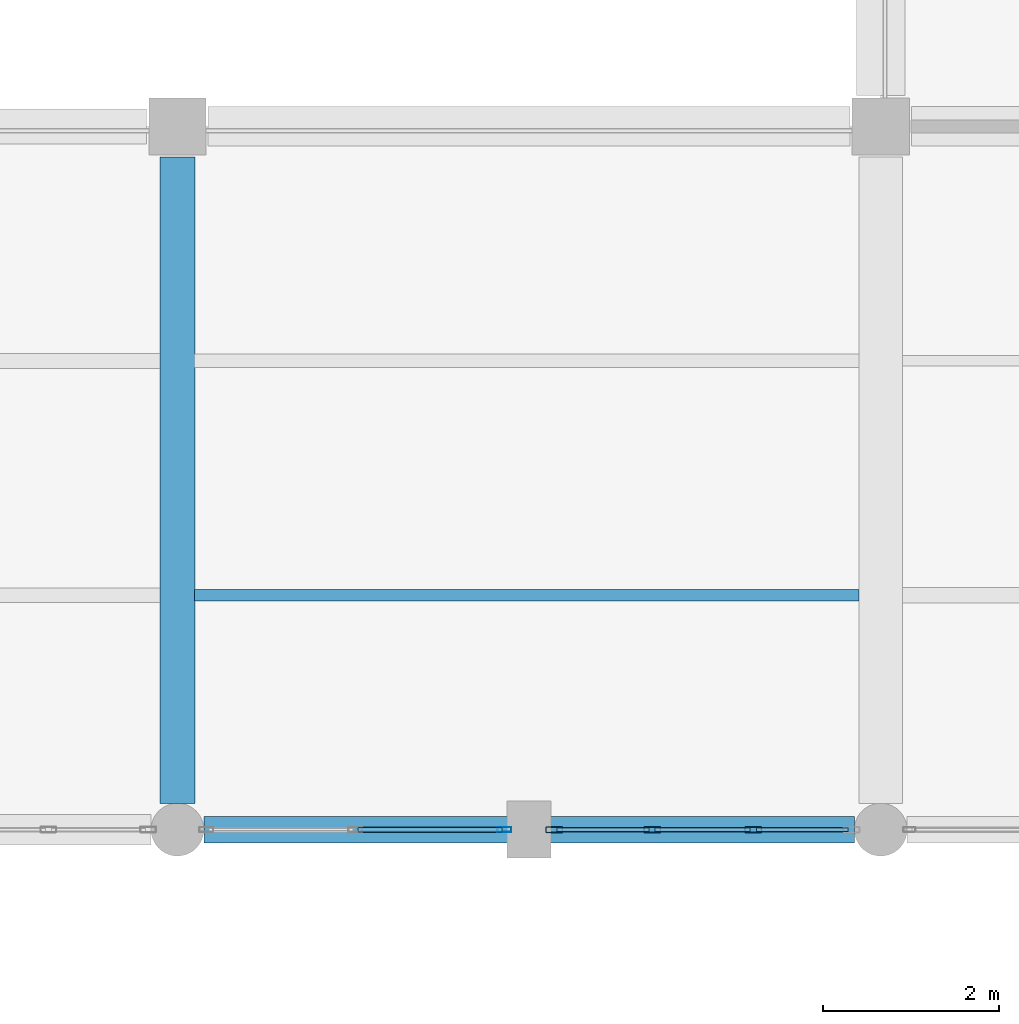
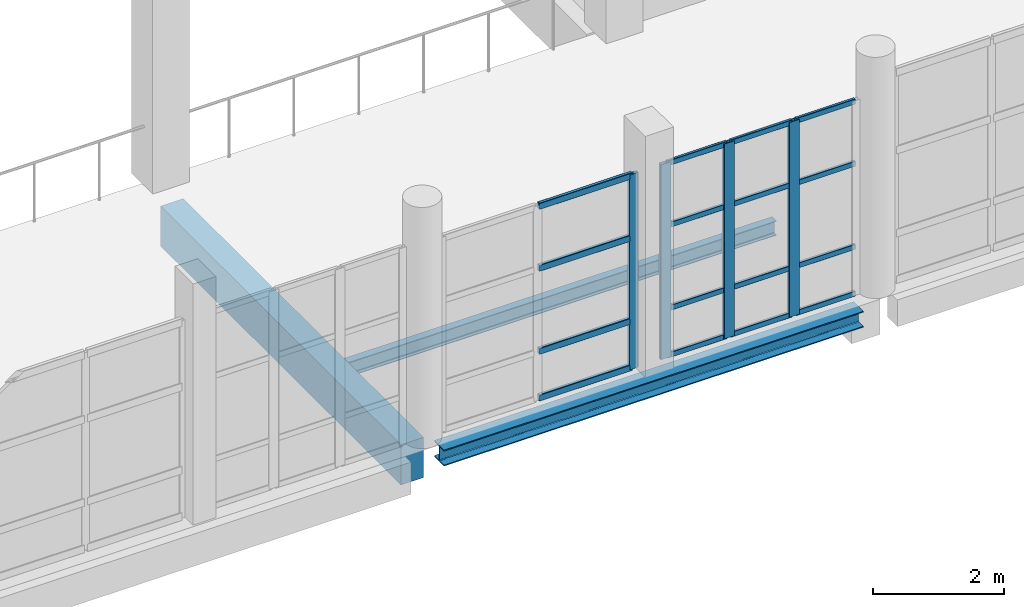
# One storey, part 17 of 183: 20 members, 3 beams, 2 elements without a shape of their own.
"""IFC4 building model written with IfcOpenShell, lengths in metres."""

from ifc_helpers import new_model, si_unit, direction, frame, origin, origin_2d, place, context, subcontext, project, spatial, rectangle, hollow_rectangle, i_section, extrude, material, material_profile, profile_set, type_object, element, aggregate, save


model = new_model("IFC4")

# Units and contexts
model_context = context("Model", 3, precision=1e-05, world=origin(), true_north=direction((0.0, 1.0)))
body_context = subcontext(model_context, "Body", "Model", "MODEL_VIEW")
ifc_project = project(units=[si_unit("LENGTHUNIT", "METRE"), si_unit("AREAUNIT", "SQUARE_METRE"), si_unit("VOLUMEUNIT", "CUBIC_METRE"), si_unit("PLANEANGLEUNIT", "RADIAN"), si_unit("MASSUNIT", "GRAM", prefix="KILO")], contexts=[model_context])

# Site, building, storey
site_placement = place(None, origin())
site = spatial("IfcSite", under=ifc_project, at=site_placement, CompositionType="ELEMENT")
building_placement = place(site_placement, origin())
building = spatial("IfcBuilding", under=site, at=building_placement, Name="Luwemba Playhouse", CompositionType="ELEMENT")
storey_placement = place(building_placement, frame((0.0, 0.0, 4.800048828125)))
storey = spatial("IfcBuildingStorey", under=building, at=storey_placement, Name="L01", CompositionType="ELEMENT", Elevation=4.800048828125)

# Beams
ifc_material_1 = material(Name="Concrete C40/50", Category="concrete")
ifc_material_profile_1 = material_profile(ifc_material_1, rectangle(XDim=0.39990234375, YDim=0.75, at=origin_2d()))
ifc_profile_set_1 = profile_set([ifc_material_profile_1], Name="Concrete C40/50")
beam_type_1 = type_object("IfcBeamType", Name="BM-RB03", PredefinedType="BEAM", material=ifc_profile_set_1)
beam_1_placement = place(storey_placement, frame((28.0, 3.300048828125, -0.625), z_axis=(0.0, 1.0, 0.0), x_axis=(-1.0, 0.0, 0.0)))
element("IfcBeam", 1, at=beam_1_placement, inside=storey, type_object=beam_type_1, Name="L01 transverse girder 0505", PredefinedType="BEAM", context=body_context, shape_type="SweptSolid", body=[
    extrude(rectangle(XDim=0.39990234375, YDim=0.75, at=origin_2d()), origin(), (0.0, 0.0, 1.0), 7.349853515625),
])
ifc_material_2 = material(Name="Steel S355", Category="steel")
ifc_material_profile_2 = material_profile(ifc_material_2, i_section(OverallWidth=0.135009765625, OverallDepth=0.27001953125, WebThickness=0.006591796875, FlangeThickness=0.01025390625, FilletRadius=0.014892578125, at=origin_2d()))
ifc_profile_set_2 = profile_set([ifc_material_profile_2], Name="Steel S355")
beam_type_2 = type_object("IfcBeamType", Name="BM-SJ04", PredefinedType="JOIST", material=ifc_profile_set_2)
beam_2_placement = place(storey_placement, frame((28.196044921875, 5.666748046875, -0.385009765625), z_axis=(1.0, 0.0, 0.0), x_axis=(0.0, 1.0, 0.0)))
element("IfcBeam", 2, at=beam_2_placement, inside=storey, type_object=beam_type_2, Name="L01 composite floor joist 0287", PredefinedType="JOIST", context=body_context, shape_type="SweptSolid", body=[
    extrude(i_section(OverallWidth=0.135009765625, OverallDepth=0.27001953125, WebThickness=0.006591796875, FlangeThickness=0.01025390625, FilletRadius=0.014892578125, at=origin_2d()), origin(), (0.0, 0.0, 1.0), 7.557861328125),
])
ifc_material_profile_3 = material_profile(ifc_material_2, i_section(OverallWidth=0.300048828125, OverallDepth=0.300048828125, WebThickness=0.010986328125, FlangeThickness=0.01904296875, FilletRadius=0.027099609375, at=origin_2d()))
ifc_profile_set_3 = profile_set([ifc_material_profile_3], Name="Steel S355")
beam_type_3 = type_object("IfcBeamType", Name="BM-SSP1", PredefinedType="SPANDREL", material=ifc_profile_set_3)
beam_3_placement = place(storey_placement, frame((28.300048828125, 3.0, -0.400146484375), z_axis=(1.0, 0.0, 0.0), x_axis=(0.0, 1.0, 0.0)))
element("IfcBeam", 3, at=beam_3_placement, inside=storey, type_object=beam_type_3, Name="L01 grid girder 0471", PredefinedType="SPANDREL", context=body_context, shape_type="SweptSolid", body=[
    extrude(i_section(OverallWidth=0.300048828125, OverallDepth=0.300048828125, WebThickness=0.010986328125, FlangeThickness=0.01904296875, FilletRadius=0.027099609375, at=origin_2d()), origin(), (0.0, 0.0, 1.0), 7.39990234375),
])

# Curtain wall, member
ifc_material_3 = material(Name="Solar-control double glazing", Category="glass")
curtain_wall_type_1 = type_object("IfcCurtainWallType", Name="CW-CW99", PredefinedType="USERDEFINED", material=ifc_material_3)
curtain_wall_1_placement = place(storey_placement, origin())
curtain_wall_1 = element("IfcCurtainWall", 4, at=curtain_wall_1_placement, inside=storey, type_object=curtain_wall_type_1, Name="L01 V5W unitised curtain wall 146", ObjectType="UNITISED GLAZING", PredefinedType="USERDEFINED")
ifc_material_4 = material(Name="Aluminium 6063-T6", Category="aluminium")
ifc_material_profile_4 = material_profile(ifc_material_4, hollow_rectangle(XDim=0.06005859375, YDim=0.159912109375, WallThickness=0.00390625, InnerFilletRadius=0.006103515625, OuterFilletRadius=0.010009765625, at=origin_2d()))
ifc_profile_set_4 = profile_set([ifc_material_profile_4], Name="Aluminium 6063-T6")
member_type_1 = type_object("IfcMemberType", Name="CWM-M1", PredefinedType="MULLION", material=ifc_profile_set_4)
member_1_placement = place(storey_placement, frame((31.719970703125, 3.0, 0.0), z_axis=(0.0, 0.0, 1.0), x_axis=(0.0, -1.0, 0.0)))
member_1 = element("IfcMember", 5, at=member_1_placement, type_object=member_type_1, Name="CW99 mullion 1", PredefinedType="MULLION", context=body_context, shape_type="SweptSolid", body=[
    extrude(hollow_rectangle(XDim=0.06005859375, YDim=0.159912109375, WallThickness=0.00390625, InnerFilletRadius=0.006103515625, OuterFilletRadius=0.010009765625, at=origin_2d()), origin(), (0.0, 0.0, 1.0), 3.635009765625),
])

# Curtain wall, members
curtain_wall_type_2 = type_object("IfcCurtainWallType", Name="CW-CW111", PredefinedType="USERDEFINED", material=ifc_material_3)
curtain_wall_2_placement = place(storey_placement, origin())
curtain_wall_2 = element("IfcCurtainWall", 6, at=curtain_wall_2_placement, inside=storey, type_object=curtain_wall_type_2, Name="L01 V5W unitised curtain wall 145", ObjectType="UNITISED GLAZING", PredefinedType="USERDEFINED")
ifc_material_profile_5 = material_profile(ifc_material_4, hollow_rectangle(XDim=0.070068359375, YDim=0.18994140625, WallThickness=0.0048828125, InnerFilletRadius=0.007568359375, OuterFilletRadius=0.012451171875, at=origin_2d()))
ifc_profile_set_5 = profile_set([ifc_material_profile_5], Name="Aluminium 6063-T6")
member_type_2 = type_object("IfcMemberType", Name="CWM-M4", PredefinedType="MULLION", material=ifc_profile_set_5)
member_2_placement = place(storey_placement, frame((34.550048828125, 3.0, 0.0), z_axis=(0.0, 0.0, 1.0), x_axis=(0.0, -1.0, 0.0)))
member_2 = element("IfcMember", 7, at=member_2_placement, type_object=member_type_2, Name="CW111 mullion 2", PredefinedType="MULLION", context=body_context, shape_type="SweptSolid", body=[
    extrude(hollow_rectangle(XDim=0.070068359375, YDim=0.18994140625, WallThickness=0.0048828125, InnerFilletRadius=0.007568359375, OuterFilletRadius=0.012451171875, at=origin_2d()), origin(), (0.0, 0.0, 1.0), 3.635009765625),
])
member_3_placement = place(storey_placement, frame((33.39990234375, 3.0, 0.0), z_axis=(0.0, 0.0, 1.0), x_axis=(0.0, -1.0, 0.0)))
member_3 = element("IfcMember", 8, at=member_3_placement, type_object=member_type_2, Name="CW111 mullion 3", PredefinedType="MULLION", context=body_context, shape_type="SweptSolid", body=[
    extrude(hollow_rectangle(XDim=0.070068359375, YDim=0.18994140625, WallThickness=0.0048828125, InnerFilletRadius=0.007568359375, OuterFilletRadius=0.012451171875, at=origin_2d()), origin(), (0.0, 0.0, 1.0), 3.635009765625),
])
member_4_placement = place(storey_placement, frame((32.284912109375, 3.0, 0.0), z_axis=(0.0, 0.0, 1.0), x_axis=(0.0, -1.0, 0.0)))
member_4 = element("IfcMember", 9, at=member_4_placement, type_object=member_type_2, Name="CW111 mullion 4", PredefinedType="MULLION", context=body_context, shape_type="SweptSolid", body=[
    extrude(hollow_rectangle(XDim=0.070068359375, YDim=0.18994140625, WallThickness=0.0048828125, InnerFilletRadius=0.007568359375, OuterFilletRadius=0.012451171875, at=origin_2d()), origin(), (0.0, 0.0, 1.0), 3.635009765625),
])

# Member
ifc_material_profile_6 = material_profile(ifc_material_4, hollow_rectangle(XDim=0.06005859375, YDim=0.1201171875, WallThickness=0.00390625, InnerFilletRadius=0.006103515625, OuterFilletRadius=0.010009765625, at=origin_2d()))
ifc_profile_set_6 = profile_set([ifc_material_profile_6], Name="Aluminium 6063-T6")
member_type_3 = type_object("IfcMemberType", Name="CWT-T1", PredefinedType="USERDEFINED", material=ifc_profile_set_6)
member_5_placement = place(storey_placement, frame((31.68994140625, 3.0, 0.030029296875), z_axis=(-1.0, 0.0, 0.0), x_axis=(0.0, -1.0, 0.0)))
member_5 = element("IfcMember", 10, at=member_5_placement, type_object=member_type_3, Name="CW99 transom 1.1", ObjectType="TRANSOM", PredefinedType="USERDEFINED", context=body_context, shape_type="SweptSolid", body=[
    extrude(hollow_rectangle(XDim=0.06005859375, YDim=0.1201171875, WallThickness=0.00390625, InnerFilletRadius=0.006103515625, OuterFilletRadius=0.010009765625, at=origin_2d()), origin(), (0.0, 0.0, 1.0), 1.635009765625),
])

member_6_placement = place(storey_placement, frame((31.68994140625, 3.0, 0.89990234375), z_axis=(-1.0, 0.0, 0.0), x_axis=(0.0, -1.0, 0.0)))
member_6 = element("IfcMember", 11, at=member_6_placement, type_object=member_type_3, Name="CW99 transom 1.2", ObjectType="TRANSOM", PredefinedType="USERDEFINED", context=body_context, shape_type="SweptSolid", body=[
    extrude(hollow_rectangle(XDim=0.06005859375, YDim=0.1201171875, WallThickness=0.00390625, InnerFilletRadius=0.006103515625, OuterFilletRadius=0.010009765625, at=origin_2d()), origin(), (0.0, 0.0, 1.0), 1.635009765625),
])

member_7_placement = place(storey_placement, frame((31.68994140625, 3.0, 2.449951171875), z_axis=(-1.0, 0.0, 0.0), x_axis=(0.0, -1.0, 0.0)))
member_7 = element("IfcMember", 12, at=member_7_placement, type_object=member_type_3, Name="CW99 transom 1.3", ObjectType="TRANSOM", PredefinedType="USERDEFINED", context=body_context, shape_type="SweptSolid", body=[
    extrude(hollow_rectangle(XDim=0.06005859375, YDim=0.1201171875, WallThickness=0.00390625, InnerFilletRadius=0.006103515625, OuterFilletRadius=0.010009765625, at=origin_2d()), origin(), (0.0, 0.0, 1.0), 1.635009765625),
])

member_8_placement = place(storey_placement, frame((31.68994140625, 3.0, 3.60498046875), z_axis=(-1.0, 0.0, 0.0), x_axis=(0.0, -1.0, 0.0)))
member_8 = element("IfcMember", 13, at=member_8_placement, type_object=member_type_3, Name="CW99 transom 1.4", ObjectType="TRANSOM", PredefinedType="USERDEFINED", context=body_context, shape_type="SweptSolid", body=[
    extrude(hollow_rectangle(XDim=0.06005859375, YDim=0.1201171875, WallThickness=0.00390625, InnerFilletRadius=0.006103515625, OuterFilletRadius=0.010009765625, at=origin_2d()), origin(), (0.0, 0.0, 1.0), 1.635009765625),
])

aggregate(curtain_wall_1, [member_1, member_5, member_6, member_7, member_8])

ifc_material_profile_7 = material_profile(ifc_material_4, hollow_rectangle(XDim=0.050048828125, YDim=0.10009765625, WallThickness=0.00341796875, InnerFilletRadius=0.00537109375, OuterFilletRadius=0.0087890625, at=origin_2d()))
ifc_profile_set_7 = profile_set([ifc_material_profile_7], Name="Aluminium 6063-T6")
member_type_4 = type_object("IfcMemberType", Name="CWT-T4", PredefinedType="USERDEFINED", material=ifc_profile_set_7)
member_9_placement = place(storey_placement, frame((35.6298828125, 3.0, 0.02490234375), z_axis=(-1.0, 0.0, 0.0), x_axis=(0.0, -1.0, 0.0)))
member_9 = element("IfcMember", 14, at=member_9_placement, type_object=member_type_4, Name="CW111 transom 1.1", ObjectType="TRANSOM", PredefinedType="USERDEFINED", context=body_context, shape_type="SweptSolid", body=[
    extrude(hollow_rectangle(XDim=0.050048828125, YDim=0.10009765625, WallThickness=0.00341796875, InnerFilletRadius=0.00537109375, OuterFilletRadius=0.0087890625, at=origin_2d()), origin(), (0.0, 0.0, 1.0), 1.044921875),
])

member_10_placement = place(storey_placement, frame((35.6298828125, 3.0, 0.89990234375), z_axis=(-1.0, 0.0, 0.0), x_axis=(0.0, -1.0, 0.0)))
member_10 = element("IfcMember", 15, at=member_10_placement, type_object=member_type_4, Name="CW111 transom 1.2", ObjectType="TRANSOM", PredefinedType="USERDEFINED", context=body_context, shape_type="SweptSolid", body=[
    extrude(hollow_rectangle(XDim=0.050048828125, YDim=0.10009765625, WallThickness=0.00341796875, InnerFilletRadius=0.00537109375, OuterFilletRadius=0.0087890625, at=origin_2d()), origin(), (0.0, 0.0, 1.0), 1.044921875),
])

member_11_placement = place(storey_placement, frame((35.6298828125, 3.0, 2.449951171875), z_axis=(-1.0, 0.0, 0.0), x_axis=(0.0, -1.0, 0.0)))
member_11 = element("IfcMember", 16, at=member_11_placement, type_object=member_type_4, Name="CW111 transom 1.3", ObjectType="TRANSOM", PredefinedType="USERDEFINED", context=body_context, shape_type="SweptSolid", body=[
    extrude(hollow_rectangle(XDim=0.050048828125, YDim=0.10009765625, WallThickness=0.00341796875, InnerFilletRadius=0.00537109375, OuterFilletRadius=0.0087890625, at=origin_2d()), origin(), (0.0, 0.0, 1.0), 1.044921875),
])

member_12_placement = place(storey_placement, frame((35.6298828125, 3.0, 3.60986328125), z_axis=(-1.0, 0.0, 0.0), x_axis=(0.0, -1.0, 0.0)))
member_12 = element("IfcMember", 17, at=member_12_placement, type_object=member_type_4, Name="CW111 transom 1.4", ObjectType="TRANSOM", PredefinedType="USERDEFINED", context=body_context, shape_type="SweptSolid", body=[
    extrude(hollow_rectangle(XDim=0.050048828125, YDim=0.10009765625, WallThickness=0.00341796875, InnerFilletRadius=0.00537109375, OuterFilletRadius=0.0087890625, at=origin_2d()), origin(), (0.0, 0.0, 1.0), 1.044921875),
])

member_13_placement = place(storey_placement, frame((34.514892578125, 3.0, 0.02490234375), z_axis=(-1.0, 0.0, 0.0), x_axis=(0.0, -1.0, 0.0)))
member_13 = element("IfcMember", 18, at=member_13_placement, type_object=member_type_4, Name="CW111 transom 2.1", ObjectType="TRANSOM", PredefinedType="USERDEFINED", context=body_context, shape_type="SweptSolid", body=[
    extrude(hollow_rectangle(XDim=0.050048828125, YDim=0.10009765625, WallThickness=0.00341796875, InnerFilletRadius=0.00537109375, OuterFilletRadius=0.0087890625, at=origin_2d()), origin(), (0.0, 0.0, 1.0), 1.079833984375),
])

member_14_placement = place(storey_placement, frame((34.514892578125, 3.0, 0.89990234375), z_axis=(-1.0, 0.0, 0.0), x_axis=(0.0, -1.0, 0.0)))
member_14 = element("IfcMember", 19, at=member_14_placement, type_object=member_type_4, Name="CW111 transom 2.2", ObjectType="TRANSOM", PredefinedType="USERDEFINED", context=body_context, shape_type="SweptSolid", body=[
    extrude(hollow_rectangle(XDim=0.050048828125, YDim=0.10009765625, WallThickness=0.00341796875, InnerFilletRadius=0.00537109375, OuterFilletRadius=0.0087890625, at=origin_2d()), origin(), (0.0, 0.0, 1.0), 1.079833984375),
])

member_15_placement = place(storey_placement, frame((34.514892578125, 3.0, 2.449951171875), z_axis=(-1.0, 0.0, 0.0), x_axis=(0.0, -1.0, 0.0)))
member_15 = element("IfcMember", 20, at=member_15_placement, type_object=member_type_4, Name="CW111 transom 2.3", ObjectType="TRANSOM", PredefinedType="USERDEFINED", context=body_context, shape_type="SweptSolid", body=[
    extrude(hollow_rectangle(XDim=0.050048828125, YDim=0.10009765625, WallThickness=0.00341796875, InnerFilletRadius=0.00537109375, OuterFilletRadius=0.0087890625, at=origin_2d()), origin(), (0.0, 0.0, 1.0), 1.079833984375),
])

member_16_placement = place(storey_placement, frame((34.514892578125, 3.0, 3.60986328125), z_axis=(-1.0, 0.0, 0.0), x_axis=(0.0, -1.0, 0.0)))
member_16 = element("IfcMember", 21, at=member_16_placement, type_object=member_type_4, Name="CW111 transom 2.4", ObjectType="TRANSOM", PredefinedType="USERDEFINED", context=body_context, shape_type="SweptSolid", body=[
    extrude(hollow_rectangle(XDim=0.050048828125, YDim=0.10009765625, WallThickness=0.00341796875, InnerFilletRadius=0.00537109375, OuterFilletRadius=0.0087890625, at=origin_2d()), origin(), (0.0, 0.0, 1.0), 1.079833984375),
])

member_17_placement = place(storey_placement, frame((33.364990234375, 3.0, 0.02490234375), z_axis=(-1.0, 0.0, 0.0), x_axis=(0.0, -1.0, 0.0)))
member_17 = element("IfcMember", 22, at=member_17_placement, type_object=member_type_4, Name="CW111 transom 3.1", ObjectType="TRANSOM", PredefinedType="USERDEFINED", context=body_context, shape_type="SweptSolid", body=[
    extrude(hollow_rectangle(XDim=0.050048828125, YDim=0.10009765625, WallThickness=0.00341796875, InnerFilletRadius=0.00537109375, OuterFilletRadius=0.0087890625, at=origin_2d()), origin(), (0.0, 0.0, 1.0), 1.044921875),
])

member_18_placement = place(storey_placement, frame((33.364990234375, 3.0, 0.89990234375), z_axis=(-1.0, 0.0, 0.0), x_axis=(0.0, -1.0, 0.0)))
member_18 = element("IfcMember", 23, at=member_18_placement, type_object=member_type_4, Name="CW111 transom 3.2", ObjectType="TRANSOM", PredefinedType="USERDEFINED", context=body_context, shape_type="SweptSolid", body=[
    extrude(hollow_rectangle(XDim=0.050048828125, YDim=0.10009765625, WallThickness=0.00341796875, InnerFilletRadius=0.00537109375, OuterFilletRadius=0.0087890625, at=origin_2d()), origin(), (0.0, 0.0, 1.0), 1.044921875),
])

member_19_placement = place(storey_placement, frame((33.364990234375, 3.0, 2.449951171875), z_axis=(-1.0, 0.0, 0.0), x_axis=(0.0, -1.0, 0.0)))
member_19 = element("IfcMember", 24, at=member_19_placement, type_object=member_type_4, Name="CW111 transom 3.3", ObjectType="TRANSOM", PredefinedType="USERDEFINED", context=body_context, shape_type="SweptSolid", body=[
    extrude(hollow_rectangle(XDim=0.050048828125, YDim=0.10009765625, WallThickness=0.00341796875, InnerFilletRadius=0.00537109375, OuterFilletRadius=0.0087890625, at=origin_2d()), origin(), (0.0, 0.0, 1.0), 1.044921875),
])

member_20_placement = place(storey_placement, frame((33.364990234375, 3.0, 3.60986328125), z_axis=(-1.0, 0.0, 0.0), x_axis=(0.0, -1.0, 0.0)))
member_20 = element("IfcMember", 25, at=member_20_placement, type_object=member_type_4, Name="CW111 transom 3.4", ObjectType="TRANSOM", PredefinedType="USERDEFINED", context=body_context, shape_type="SweptSolid", body=[
    extrude(hollow_rectangle(XDim=0.050048828125, YDim=0.10009765625, WallThickness=0.00341796875, InnerFilletRadius=0.00537109375, OuterFilletRadius=0.0087890625, at=origin_2d()), origin(), (0.0, 0.0, 1.0), 1.044921875),
])

aggregate(curtain_wall_2, [member_2, member_3, member_4, member_9, member_10, member_11, member_12, member_13, member_14, member_15, member_16, member_17, member_18, member_19, member_20])

save(model, "model.ifc")
